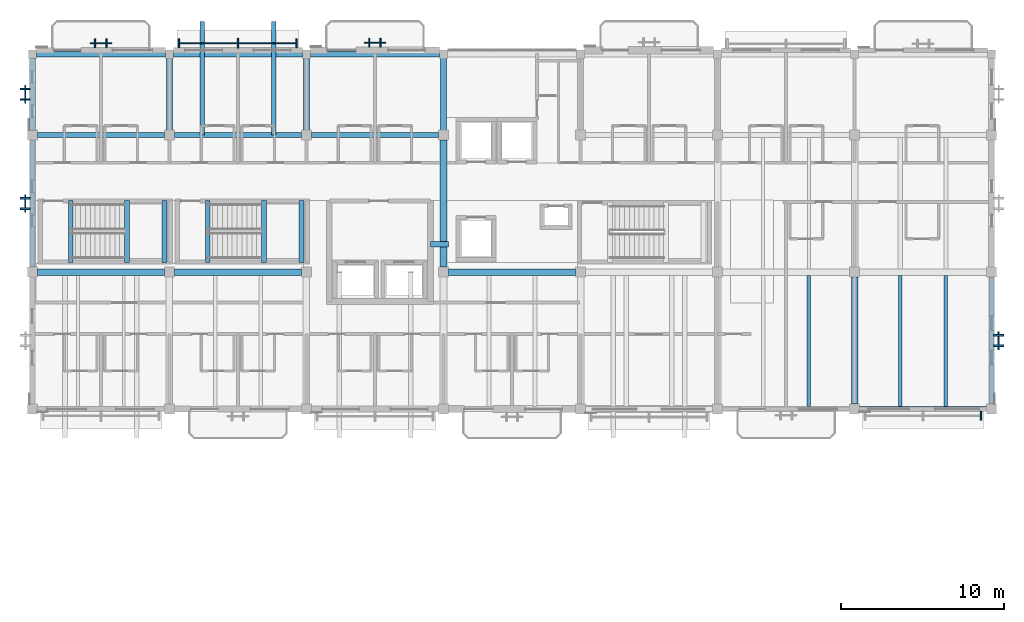
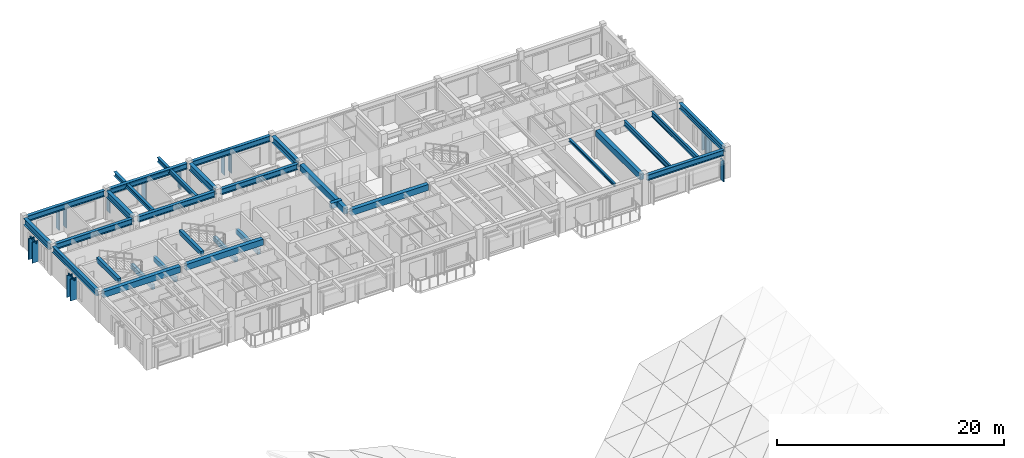
# One storey, part 2 of 31: 30 beams, 20 members, 7 elements without a shape of their own.
"""IFC4 building model written with IfcOpenShell, lengths in metres."""

from ifc_helpers import new_model, si_unit, direction, frame, origin, origin_2d, place, context, subcontext, project, spatial, rectangle, i_section, extrude, material, material_profile, profile_set, type_object, element, aggregate, save


model = new_model("IFC4")

# Units and contexts
model_context = context("Model", 3, precision=1e-05, world=origin(), true_north=direction((0.0, 1.0)))
body_context = subcontext(model_context, "Body", "Model", "MODEL_VIEW")
ifc_project = project(units=[si_unit("LENGTHUNIT", "METRE"), si_unit("AREAUNIT", "SQUARE_METRE"), si_unit("VOLUMEUNIT", "CUBIC_METRE"), si_unit("PLANEANGLEUNIT", "RADIAN"), si_unit("MASSUNIT", "GRAM", prefix="KILO")], contexts=[model_context])

# Site, building, storey
site_placement = place(None, origin())
site = spatial("IfcSite", under=ifc_project, at=site_placement, CompositionType="ELEMENT")
building_placement = place(site_placement, origin())
building = spatial("IfcBuilding", under=site, at=building_placement, Name="Cumbredor Promenade Congress Hotel", CompositionType="ELEMENT")
storey_placement = place(building_placement, frame((0.0, 0.0, 31.919921875)))
storey = spatial("IfcBuildingStorey", under=building, at=storey_placement, Name="L09", CompositionType="ELEMENT", Elevation=31.919921875)

# Beams
ifc_material_1 = material(Name="Concrete C40/50", Category="concrete")
ifc_material_profile_1 = material_profile(ifc_material_1, rectangle(XDim=0.39990234375, YDim=0.64990234375, at=origin_2d()), Name="RC BEAM 400x650")
ifc_profile_set_1 = profile_set([ifc_material_profile_1], Name="Concrete C40/50")
beam_type_1 = type_object("IfcBeamType", Name="BM-RC-400x650", PredefinedType="BEAM", material=ifc_profile_set_1)
beam_1_placement = place(storey_placement, frame((8.699951171875, 100.800048828125, 2.775146484375), z_axis=(1.0, 0.0, 0.0), x_axis=(0.0, 1.0, 0.0)))
element("IfcBeam", 1, at=beam_1_placement, inside=storey, type_object=beam_type_1, Name="L10 X-Grid Beam 003", PredefinedType="BEAM", context=body_context, shape_type="SweptSolid", body=[
    extrude(rectangle(XDim=0.39990234375, YDim=0.64990234375, at=origin_2d()), origin(), (0.0, 0.0, 1.0), 7.800048828125),
])
beam_2_placement = place(storey_placement, frame((17.10009765625, 100.800048828125, 2.775146484375), z_axis=(1.0, 0.0, 0.0), x_axis=(0.0, 1.0, 0.0)))
element("IfcBeam", 2, at=beam_2_placement, inside=storey, type_object=beam_type_1, Name="L10 X-Grid Beam 009", PredefinedType="BEAM", context=body_context, shape_type="SweptSolid", body=[
    extrude(rectangle(XDim=0.39990234375, YDim=0.64990234375, at=origin_2d()), origin(), (0.0, 0.0, 1.0), 7.7998046875),
])
beam_3_placement = place(storey_placement, frame((33.89990234375, 100.800048828125, 2.775146484375), z_axis=(1.0, 0.0, 0.0), x_axis=(0.0, 1.0, 0.0)))
element("IfcBeam", 3, at=beam_3_placement, inside=storey, type_object=beam_type_1, Name="L10 X-Grid Beam 018", PredefinedType="BEAM", context=body_context, shape_type="SweptSolid", body=[
    extrude(rectangle(XDim=0.39990234375, YDim=0.64990234375, at=origin_2d()), origin(), (0.0, 0.0, 1.0), 7.800048828125),
])
beam_4_placement = place(storey_placement, frame((33.60009765625, 101.10009765625, 2.775146484375), z_axis=(0.0, 1.0, 0.0), x_axis=(-1.0, 0.0, 0.0)))
element("IfcBeam", 4, at=beam_4_placement, inside=storey, type_object=beam_type_1, Name="L10 Y-Grid Beam 019", PredefinedType="BEAM", context=body_context, shape_type="SweptSolid", body=[
    extrude(rectangle(XDim=0.39990234375, YDim=0.64990234375, at=origin_2d()), origin(), (0.0, 0.0, 1.0), 7.7998046875),
])
beam_5_placement = place(storey_placement, frame((58.800048828125, 92.699951171875, 2.715087890625), z_axis=(0.0, 1.0, 0.0), x_axis=(-1.0, 0.0, 0.0)))
element("IfcBeam", 5, at=beam_5_placement, inside=storey, type_object=beam_type_1, Name="L10 Y-Grid Beam 033", PredefinedType="BEAM", context=body_context, shape_type="SweptSolid", body=[
    extrude(rectangle(XDim=0.39990234375, YDim=0.64990234375, at=origin_2d()), origin(), (0.0, 0.0, 1.0), 7.800048828125),
])
ifc_material_2 = material(Name="Steel ASTM A992 Grade 50", Category="steel")
ifc_material_profile_2 = material_profile(ifc_material_2, i_section(OverallWidth=0.323974609375, OverallDepth=0.611083984375, WebThickness=0.0126953125, FlangeThickness=0.01904296875, at=origin_2d()), Name="W24X104")
ifc_profile_set_2 = profile_set([ifc_material_profile_2], Name="Steel ASTM A992 Grade 50")
beam_type_2 = type_object("IfcBeamType", Name="BM-W24X104", PredefinedType="BEAM", material=ifc_profile_set_2)
beam_6_placement = place(storey_placement, frame((8.699951171875, 109.199951171875, 2.794677734375), z_axis=(1.0, 0.0, 0.0), x_axis=(0.0, 1.0, 0.0)))
element("IfcBeam", 6, at=beam_6_placement, inside=storey, type_object=beam_type_2, Name="L10 X-Grid Beam 005", PredefinedType="BEAM", context=body_context, shape_type="SweptSolid", body=[
    extrude(i_section(OverallWidth=0.323974609375, OverallDepth=0.611083984375, WebThickness=0.0126953125, FlangeThickness=0.01904296875, at=origin_2d()), origin(), (0.0, 0.0, 1.0), 7.800048828125),
])
beam_7_placement = place(storey_placement, frame((8.64990234375, 114.14990234375, 2.794677734375), z_axis=(1.0, 0.0, 0.0), x_axis=(0.0, 1.0, 0.0)))
element("IfcBeam", 7, at=beam_7_placement, inside=storey, type_object=beam_type_2, Name="L10 X-Grid Beam 006", PredefinedType="BEAM", context=body_context, shape_type="SweptSolid", body=[
    extrude(i_section(OverallWidth=0.323974609375, OverallDepth=0.611083984375, WebThickness=0.0126953125, FlangeThickness=0.01904296875, at=origin_2d()), origin(), (0.0, 0.0, 1.0), 7.900146484375),
])
beam_8_placement = place(storey_placement, frame((17.10009765625, 109.199951171875, 2.794677734375), z_axis=(1.0, 0.0, 0.0), x_axis=(0.0, 1.0, 0.0)))
element("IfcBeam", 8, at=beam_8_placement, inside=storey, type_object=beam_type_2, Name="L10 X-Grid Beam 010", PredefinedType="BEAM", context=body_context, shape_type="SweptSolid", body=[
    extrude(i_section(OverallWidth=0.323974609375, OverallDepth=0.611083984375, WebThickness=0.0126953125, FlangeThickness=0.01904296875, at=origin_2d()), origin(), (0.0, 0.0, 1.0), 7.7998046875),
])
beam_9_placement = place(storey_placement, frame((17.050048828125, 114.14990234375, 2.794677734375), z_axis=(1.0, 0.0, 0.0), x_axis=(0.0, 1.0, 0.0)))
element("IfcBeam", 9, at=beam_9_placement, inside=storey, type_object=beam_type_2, Name="L10 X-Grid Beam 011", PredefinedType="BEAM", context=body_context, shape_type="SweptSolid", body=[
    extrude(i_section(OverallWidth=0.323974609375, OverallDepth=0.611083984375, WebThickness=0.0126953125, FlangeThickness=0.01904296875, at=origin_2d()), origin(), (0.0, 0.0, 1.0), 7.89990234375),
])
beam_10_placement = place(storey_placement, frame((25.5, 109.199951171875, 2.794677734375), z_axis=(1.0, 0.0, 0.0), x_axis=(0.0, 1.0, 0.0)))
element("IfcBeam", 10, at=beam_10_placement, inside=storey, type_object=beam_type_2, Name="L10 X-Grid Beam 014", PredefinedType="BEAM", context=body_context, shape_type="SweptSolid", body=[
    extrude(i_section(OverallWidth=0.323974609375, OverallDepth=0.611083984375, WebThickness=0.0126953125, FlangeThickness=0.01904296875, at=origin_2d()), origin(), (0.0, 0.0, 1.0), 7.800048828125),
])
beam_11_placement = place(storey_placement, frame((25.449951171875, 114.14990234375, 2.794677734375), z_axis=(1.0, 0.0, 0.0), x_axis=(0.0, 1.0, 0.0)))
element("IfcBeam", 11, at=beam_11_placement, inside=storey, type_object=beam_type_2, Name="L10 X-Grid Beam 015", PredefinedType="BEAM", context=body_context, shape_type="SweptSolid", body=[
    extrude(i_section(OverallWidth=0.323974609375, OverallDepth=0.611083984375, WebThickness=0.0126953125, FlangeThickness=0.01904296875, at=origin_2d()), origin(), (0.0, 0.0, 1.0), 7.900146484375),
])
beam_12_placement = place(storey_placement, frame((59.10009765625, 92.39990234375, 2.734619140625), z_axis=(1.0, 0.0, 0.0), x_axis=(0.0, 1.0, 0.0)))
element("IfcBeam", 12, at=beam_12_placement, inside=storey, type_object=beam_type_2, Name="L10 X-Grid Beam 032", PredefinedType="BEAM", context=body_context, shape_type="SweptSolid", body=[
    extrude(i_section(OverallWidth=0.323974609375, OverallDepth=0.611083984375, WebThickness=0.0126953125, FlangeThickness=0.01904296875, at=origin_2d()), origin(), (0.0, 0.0, 1.0), 7.7998046875),
])
ifc_material_profile_3 = material_profile(ifc_material_2, i_section(OverallWidth=0.35498046875, OverallDepth=0.695068359375, WebThickness=0.015380859375, FlangeThickness=0.02490234375, at=origin_2d()), Name="W27X146")
ifc_profile_set_3 = profile_set([ifc_material_profile_3], Name="Steel ASTM A992 Grade 50")
beam_type_3 = type_object("IfcBeamType", Name="BM-W27X146", PredefinedType="BEAM", material=ifc_profile_set_3)
for number, where, z_axis, x_axis, name in (
    (13, (8.39990234375, 109.449951171875, 2.752685546875), (0.0, 1.0, 0.0), (-1.0, 0.0, 0.0), "L10 North Veranda Back-Spanned Cantilever Girder X8"),
    (14, (16.800048828125, 109.449951171875, 2.752685546875), (0.0, 1.0, 0.0), (-1.0, 0.0, 0.0), "L10 North Veranda Back-Spanned Cantilever Girder X16"),
    (15, (25.199951171875, 109.449951171875, 2.752685546875), (0.0, 1.0, 0.0), (-1.0, 0.0, 0.0), "L10 North Veranda Back-Spanned Cantilever Girder X25"),
    (16, (33.60009765625, 109.449951171875, 2.752685546875), (0.0, 1.0, 0.0), (-1.0, 0.0, 0.0), "L10 North Veranda Back-Spanned Cantilever Girder X33"),
):
    element("IfcBeam", number, at=place(storey_placement, frame(where, z_axis=z_axis, x_axis=x_axis)), inside=storey, type_object=beam_type_3, Name=name, PredefinedType="BEAM", context=body_context, shape_type="SweptSolid", body=[
        extrude(i_section(OverallWidth=0.35498046875, OverallDepth=0.695068359375, WebThickness=0.015380859375, FlangeThickness=0.02490234375, at=origin_2d()), origin(), (0.0, 0.0, 1.0), 4.469970703125),
    ])

# Curtain wall, member
ifc_material_3 = material(Name="Thermally broken anodized aluminium and low-E glass", Category="aluminium")
curtain_wall_type = type_object("IfcCurtainWallType", Name="Solar Brise-Soleil Screen Assembly CW-07", PredefinedType="NOTDEFINED", material=ifc_material_3)
curtain_wall_1_placement = place(storey_placement, origin())
curtain_wall_1 = element("IfcCurtainWall", 17, at=curtain_wall_1_placement, inside=storey, type_object=curtain_wall_type, Name="L09 Veranda Solar Brise-Soleil Screen 1114", PredefinedType="NOTDEFINED")
ifc_material_4 = material(Name="Thermally broken anodized aluminium", Category="aluminium")
ifc_material_profile_4 = material_profile(ifc_material_4, rectangle(XDim=0.06494140625, YDim=0.1298828125, at=origin_2d()), Name="ALU TRANSOM 65x130")
ifc_profile_set_4 = profile_set([ifc_material_profile_4], Name="Thermally broken anodized aluminium")
member_type_1 = type_object("IfcMemberType", Name="Curtain Wall Transom TR-01", PredefinedType="USERDEFINED", material=ifc_profile_set_4)
member_1_placement = place(storey_placement, frame((11.949951171875, 114.822509765625, 2.39404296875), z_axis=(1.0, 0.0, 0.0), x_axis=(0.0, 1.0, 0.0)))
member_1 = element("IfcMember", 18, at=member_1_placement, type_object=member_type_1, Name="L09 Brise-Soleil Header Tie 1116", ObjectType="TRANSOM", PredefinedType="USERDEFINED", context=body_context, shape_type="SweptSolid", body=[
    extrude(rectangle(XDim=0.06494140625, YDim=0.1298828125, at=origin_2d()), origin(), (0.0, 0.0, 1.0), 1.300048828125),
])

curtain_wall_2_placement = place(storey_placement, origin())
curtain_wall_2 = element("IfcCurtainWall", 19, at=curtain_wall_2_placement, inside=storey, type_object=curtain_wall_type, Name="L09 Hospitality Brise-Soleil Screen 115", PredefinedType="NOTDEFINED")
member_2_placement = place(storey_placement, frame((17.35107421875, 114.8349609375, 2.294189453125), z_axis=(1.0, 0.0, 0.0), x_axis=(0.0, 1.0, 0.0)))
member_2 = element("IfcMember", 20, at=member_2_placement, type_object=member_type_1, Name="L09 Brise-Soleil Screen Transom 115", ObjectType="TRANSOM", PredefinedType="USERDEFINED", context=body_context, shape_type="SweptSolid", body=[
    extrude(rectangle(XDim=0.06494140625, YDim=0.1298828125, at=origin_2d()), origin(), (0.0, 0.0, 1.0), 7.2978515625),
])

curtain_wall_3_placement = place(storey_placement, origin())
curtain_wall_3 = element("IfcCurtainWall", 21, at=curtain_wall_3_placement, inside=storey, type_object=curtain_wall_type, Name="L09 Veranda Solar Brise-Soleil Screen 1120", PredefinedType="NOTDEFINED")
member_3_placement = place(storey_placement, frame((28.75, 114.85009765625, 2.39404296875), z_axis=(1.0, 0.0, 0.0), x_axis=(0.0, 1.0, 0.0)))
member_3 = element("IfcMember", 22, at=member_3_placement, type_object=member_type_1, Name="L09 Brise-Soleil Header Tie 1122", ObjectType="TRANSOM", PredefinedType="USERDEFINED", context=body_context, shape_type="SweptSolid", body=[
    extrude(rectangle(XDim=0.06494140625, YDim=0.1298828125, at=origin_2d()), origin(), (0.0, 0.0, 1.0), 1.300048828125),
])

curtain_wall_4_placement = place(storey_placement, origin())
curtain_wall_4 = element("IfcCurtainWall", 23, at=curtain_wall_4_placement, inside=storey, type_object=curtain_wall_type, Name="L09 Pier Brise-Soleil Screen 1135", PredefinedType="NOTDEFINED")
member_4_placement = place(storey_placement, frame((7.965087890625, 104.449951171875, 2.31396484375), z_axis=(0.0, 1.0, 0.0), x_axis=(-1.0, 0.0, 0.0)))
member_4 = element("IfcMember", 24, at=member_4_placement, type_object=member_type_1, Name="L09 Pier Brise-Soleil Header 1137", ObjectType="TRANSOM", PredefinedType="USERDEFINED", context=body_context, shape_type="SweptSolid", body=[
    extrude(rectangle(XDim=0.06494140625, YDim=0.1298828125, at=origin_2d()), origin(), (0.0, 0.0, 1.0), 1.10009765625),
])

curtain_wall_5_placement = place(storey_placement, origin())
curtain_wall_5 = element("IfcCurtainWall", 25, at=curtain_wall_5_placement, inside=storey, type_object=curtain_wall_type, Name="L09 Pier Brise-Soleil Screen 1138", PredefinedType="NOTDEFINED")
member_5_placement = place(storey_placement, frame((7.949951171875, 111.14990234375, 2.22998046875), z_axis=(0.0, 1.0, 0.0), x_axis=(-1.0, 0.0, 0.0)))
member_5 = element("IfcMember", 26, at=member_5_placement, type_object=member_type_1, Name="L09 Pier Brise-Soleil Header 1140", ObjectType="TRANSOM", PredefinedType="USERDEFINED", context=body_context, shape_type="SweptSolid", body=[
    extrude(rectangle(XDim=0.06494140625, YDim=0.1298828125, at=origin_2d()), origin(), (0.0, 0.0, 1.0), 1.10009765625),
])

curtain_wall_6_placement = place(storey_placement, origin())
curtain_wall_6 = element("IfcCurtainWall", 27, at=curtain_wall_6_placement, inside=storey, type_object=curtain_wall_type, Name="L09 Pier Brise-Soleil Screen 1141", PredefinedType="NOTDEFINED")
member_6_placement = place(storey_placement, frame((67.62255859375, 96.050048828125, 2.254150390625), z_axis=(0.0, 1.0, 0.0), x_axis=(-1.0, 0.0, 0.0)))
member_6 = element("IfcMember", 28, at=member_6_placement, type_object=member_type_1, Name="L09 Pier Brise-Soleil Header 1143", ObjectType="TRANSOM", PredefinedType="USERDEFINED", context=body_context, shape_type="SweptSolid", body=[
    extrude(rectangle(XDim=0.06494140625, YDim=0.1298828125, at=origin_2d()), origin(), (0.0, 0.0, 1.0), 1.099853515625),
])

# Beams
ifc_material_profile_5 = material_profile(ifc_material_2, i_section(OverallWidth=0.202880859375, OverallDepth=0.302978515625, WebThickness=0.007568359375, FlangeThickness=0.01318359375, at=origin_2d()), Name="W12X40")
ifc_profile_set_5 = profile_set([ifc_material_profile_5], Name="Steel ASTM A992 Grade 50")
beam_type_4 = type_object("IfcBeamType", Name="JST-W12X40", PredefinedType="JOIST", material=ifc_profile_set_5)
beam_13_placement = place(storey_placement, frame((56.0, 92.56201171875, 2.888671875), z_axis=(0.0, 1.0, 0.0), x_axis=(-1.0, 0.0, 0.0)))
element("IfcBeam", 29, at=beam_13_placement, inside=storey, type_object=beam_type_4, Name="L10 Secondary Floor Joist 0010", PredefinedType="JOIST", context=body_context, shape_type="SweptSolid", body=[
    extrude(i_section(OverallWidth=0.202880859375, OverallDepth=0.302978515625, WebThickness=0.007568359375, FlangeThickness=0.01318359375, at=origin_2d()), origin(), (0.0, 0.0, 1.0), 8.0380859375),
])
ifc_material_profile_6 = material_profile(ifc_material_2, i_section(OverallWidth=0.280029296875, OverallDepth=0.462890625, WebThickness=0.0107421875, FlangeThickness=0.017333984375, at=origin_2d()), Name="W18X76")
ifc_profile_set_6 = profile_set([ifc_material_profile_6], Name="Steel ASTM A992 Grade 50")
beam_type_5 = type_object("IfcBeamType", Name="JST-W18X76", PredefinedType="JOIST", material=ifc_profile_set_6)
for number, where, z_axis, x_axis, name in (
    (30, (18.800048828125, 109.199951171875, 2.86865234375), (0.0, 1.0, 0.0), (-1.0, 0.0, 0.0), "L10 Balcony Back-Spanned Outrigger Beam 060.1"),
    (31, (23.199951171875, 109.199951171875, 2.86865234375), (0.0, 1.0, 0.0), (-1.0, 0.0, 0.0), "L10 Balcony Back-Spanned Outrigger Beam 060.2"),
):
    element("IfcBeam", number, at=place(storey_placement, frame(where, z_axis=z_axis, x_axis=x_axis)), inside=storey, type_object=beam_type_5, Name=name, PredefinedType="JOIST", context=body_context, shape_type="SweptSolid", body=[
        extrude(i_section(OverallWidth=0.280029296875, OverallDepth=0.462890625, WebThickness=0.0107421875, FlangeThickness=0.017333984375, at=origin_2d()), origin(), (0.0, 0.0, 1.0), 6.949951171875),
    ])
ifc_material_profile_7 = material_profile(ifc_material_2, i_section(OverallWidth=0.214111328125, OverallDepth=0.549072265625, WebThickness=0.0146484375, FlangeThickness=0.023681640625, at=origin_2d()), Name="W21X93")
ifc_profile_set_7 = profile_set([ifc_material_profile_7], Name="Steel ASTM A992 Grade 50")
beam_type_6 = type_object("IfcBeamType", Name="JST-W21X93", PredefinedType="JOIST", material=ifc_profile_set_7)
for number, where, z_axis, x_axis, name in (
    (32, (61.60009765625, 92.56201171875, 2.765625), (0.0, 1.0, 0.0), (-1.0, 0.0, 0.0), "L10 Secondary Floor Joist 0013"),
    (33, (64.39990234375, 92.56201171875, 2.765625), (0.0, 1.0, 0.0), (-1.0, 0.0, 0.0), "L10 Secondary Floor Joist 0014"),
):
    element("IfcBeam", number, at=place(storey_placement, frame(where, z_axis=z_axis, x_axis=x_axis)), inside=storey, type_object=beam_type_6, Name=name, PredefinedType="JOIST", context=body_context, shape_type="SweptSolid", body=[
        extrude(i_section(OverallWidth=0.214111328125, OverallDepth=0.549072265625, WebThickness=0.0146484375, FlangeThickness=0.023681640625, at=origin_2d()), origin(), (0.0, 0.0, 1.0), 8.0380859375),
    ])
ifc_material_profile_8 = material_profile(ifc_material_1, rectangle(XDim=0.300048828125, YDim=0.5, at=origin_2d()), Name="RC LINTEL 300x500")
ifc_profile_set_8 = profile_set([ifc_material_profile_8], Name="Concrete C40/50")
beam_type_7 = type_object("IfcBeamType", Name="LN-RC-300x500", PredefinedType="LINTEL", material=ifc_profile_set_8)
for number, where, z_axis, x_axis, name in (
    (34, (16.5, 101.3701171875, 1.22998046875), (0.0, 1.0, 0.0), (-1.0, 0.0, 0.0), "L09 Stair ST-01 Landing Ledger Beam E"),
    (35, (14.199951171875, 101.3701171875, 1.22998046875), (0.0, 1.0, 0.0), (-1.0, 0.0, 0.0), "L09 Stair ST-01 Landing Ledger Beam W"),
    (36, (10.75, 101.3701171875, 3.110107421875), (0.0, 1.0, 0.0), (-1.0, 0.0, 0.0), "L10 Stair ST-01 Well Header Trimmer Beam"),
    (37, (24.89990234375, 101.3701171875, 1.22998046875), (0.0, 1.0, 0.0), (-1.0, 0.0, 0.0), "L09 Stair ST-02 Landing Ledger Beam E"),
    (38, (22.60009765625, 101.3701171875, 1.22998046875), (0.0, 1.0, 0.0), (-1.0, 0.0, 0.0), "L09 Stair ST-02 Landing Ledger Beam W"),
    (39, (19.14990234375, 101.3701171875, 3.110107421875), (0.0, 1.0, 0.0), (-1.0, 0.0, 0.0), "L10 Stair ST-02 Well Header Trimmer Beam"),
):
    element("IfcBeam", number, at=place(storey_placement, frame(where, z_axis=z_axis, x_axis=x_axis)), inside=storey, type_object=beam_type_7, Name=name, PredefinedType="LINTEL", context=body_context, shape_type="SweptSolid", body=[
        extrude(rectangle(XDim=0.300048828125, YDim=0.5, at=origin_2d()), origin(), (0.0, 0.0, 1.0), 3.829833984375),
    ])
ifc_material_profile_9 = material_profile(ifc_material_1, rectangle(XDim=0.35009765625, YDim=0.60009765625, at=origin_2d()), Name="RC LINTEL 350x600")
ifc_profile_set_9 = profile_set([ifc_material_profile_9], Name="Concrete C40/50")
beam_type_8 = type_object("IfcBeamType", Name="LN-RC-350x600", PredefinedType="LINTEL", material=ifc_profile_set_9)
beam_14_placement = place(storey_placement, frame((32.800048828125, 102.5, 2.800048828125), z_axis=(1.0, 0.0, 0.0), x_axis=(0.0, 1.0, 0.0)))
element("IfcBeam", 40, at=beam_14_placement, inside=storey, type_object=beam_type_8, Name="L09 Core Coupling Lintel Beam", PredefinedType="LINTEL", context=body_context, shape_type="SweptSolid", body=[
    extrude(rectangle(XDim=0.35009765625, YDim=0.60009765625, at=origin_2d()), origin(), (0.0, 0.0, 1.0), 1.099853515625),
])
ifc_material_profile_10 = material_profile(ifc_material_2, i_section(OverallWidth=0.323974609375, OverallDepth=0.611083984375, WebThickness=0.0126953125, FlangeThickness=0.01904296875, at=origin_2d()), Name="W24X104")
ifc_profile_set_10 = profile_set([ifc_material_profile_10], Name="Steel ASTM A992 Grade 50")
beam_type_9 = type_object("IfcBeamType", Name="SP-W24X104", PredefinedType="SPANDREL", material=ifc_profile_set_10)
beam_15_placement = place(storey_placement, frame((8.39990234375, 101.10009765625, 2.794677734375), z_axis=(0.0, 1.0, 0.0), x_axis=(-1.0, 0.0, 0.0)))
element("IfcBeam", 41, at=beam_15_placement, inside=storey, type_object=beam_type_9, Name="L10 Y-Grid Beam 004", PredefinedType="SPANDREL", context=body_context, shape_type="SweptSolid", body=[
    extrude(i_section(OverallWidth=0.323974609375, OverallDepth=0.611083984375, WebThickness=0.0126953125, FlangeThickness=0.01904296875, at=origin_2d()), origin(), (0.0, 0.0, 1.0), 7.7998046875),
])
beam_16_placement = place(storey_placement, frame((67.199951171875, 92.699951171875, 2.734619140625), z_axis=(0.0, 1.0, 0.0), x_axis=(-1.0, 0.0, 0.0)))
element("IfcBeam", 42, at=beam_16_placement, inside=storey, type_object=beam_type_9, Name="L10 Y-Grid Beam 038", PredefinedType="SPANDREL", context=body_context, shape_type="SweptSolid", body=[
    extrude(i_section(OverallWidth=0.323974609375, OverallDepth=0.611083984375, WebThickness=0.0126953125, FlangeThickness=0.01904296875, at=origin_2d()), origin(), (0.0, 0.0, 1.0), 7.800048828125),
])

# Member
ifc_material_profile_11 = material_profile(ifc_material_4, rectangle(XDim=0.110107421875, YDim=0.6201171875, at=origin_2d()), Name="ARCH FIN 110x620")
ifc_profile_set_11 = profile_set([ifc_material_profile_11], Name="Thermally broken anodized aluminium")
member_type_2 = type_object("IfcMemberType", Name="Vertical Bronze Brise-Soleil Fin BSF-02 110x620", PredefinedType="USERDEFINED", material=ifc_profile_set_11)
member_7_placement = place(storey_placement, frame((21.0, 114.8349609375, 0.02001953125), z_axis=(0.0, 0.0, 1.0), x_axis=(1.0, 0.0, 0.0)))
member_7 = element("IfcMember", 43, at=member_7_placement, type_object=member_type_2, Name="L09 Vertical Brise-Soleil Fin 1118", ObjectType="SOLAR FIN", PredefinedType="USERDEFINED", context=body_context, shape_type="SweptSolid", body=[
    extrude(rectangle(XDim=0.110107421875, YDim=0.6201171875, at=origin_2d()), origin(), (0.0, 0.0, 1.0), 2.333984375),
])

member_8_placement = place(storey_placement, frame((7.965087890625, 104.679931640625, 0.02001953125), z_axis=(0.0, 0.0, 1.0), x_axis=(0.0, 1.0, 0.0)))
member_8 = element("IfcMember", 44, at=member_8_placement, type_object=member_type_2, Name="L09 Pier Brise-Soleil Fin 1136", ObjectType="SOLAR FIN", PredefinedType="USERDEFINED", context=body_context, shape_type="SweptSolid", body=[
    extrude(rectangle(XDim=0.110107421875, YDim=0.6201171875, at=origin_2d()), origin(), (0.0, 0.0, 1.0), 2.333984375),
])

member_9_placement = place(storey_placement, frame((7.965087890625, 105.320068359375, 0.02001953125), z_axis=(0.0, 0.0, 1.0), x_axis=(0.0, 1.0, 0.0)))
member_9 = element("IfcMember", 45, at=member_9_placement, type_object=member_type_2, Name="L09 Pier Brise-Soleil Fin 1137", ObjectType="SOLAR FIN", PredefinedType="USERDEFINED", context=body_context, shape_type="SweptSolid", body=[
    extrude(rectangle(XDim=0.110107421875, YDim=0.6201171875, at=origin_2d()), origin(), (0.0, 0.0, 1.0), 2.333984375),
])

aggregate(curtain_wall_4, [member_8, member_9, member_4])

member_10_placement = place(storey_placement, frame((7.949951171875, 111.3798828125, 0.02001953125), z_axis=(0.0, 0.0, 1.0), x_axis=(0.0, 1.0, 0.0)))
member_10 = element("IfcMember", 46, at=member_10_placement, type_object=member_type_2, Name="L09 Pier Brise-Soleil Fin 1139", ObjectType="SOLAR FIN", PredefinedType="USERDEFINED", context=body_context, shape_type="SweptSolid", body=[
    extrude(rectangle(XDim=0.110107421875, YDim=0.6201171875, at=origin_2d()), origin(), (0.0, 0.0, 1.0), 2.25),
])

member_11_placement = place(storey_placement, frame((7.949951171875, 112.02001953125, 0.02001953125), z_axis=(0.0, 0.0, 1.0), x_axis=(0.0, 1.0, 0.0)))
member_11 = element("IfcMember", 47, at=member_11_placement, type_object=member_type_2, Name="L09 Pier Brise-Soleil Fin 1140", ObjectType="SOLAR FIN", PredefinedType="USERDEFINED", context=body_context, shape_type="SweptSolid", body=[
    extrude(rectangle(XDim=0.110107421875, YDim=0.6201171875, at=origin_2d()), origin(), (0.0, 0.0, 1.0), 2.25),
])

aggregate(curtain_wall_5, [member_10, member_11, member_5])

member_12_placement = place(storey_placement, frame((67.62255859375, 96.280029296875, 0.02001953125), z_axis=(0.0, 0.0, 1.0), x_axis=(0.0, 1.0, 0.0)))
member_12 = element("IfcMember", 48, at=member_12_placement, type_object=member_type_2, Name="L09 Pier Brise-Soleil Fin 1142", ObjectType="SOLAR FIN", PredefinedType="USERDEFINED", context=body_context, shape_type="SweptSolid", body=[
    extrude(rectangle(XDim=0.110107421875, YDim=0.6201171875, at=origin_2d()), origin(), (0.0, 0.0, 1.0), 2.274169921875),
])

member_13_placement = place(storey_placement, frame((67.62255859375, 96.919921875, 0.02001953125), z_axis=(0.0, 0.0, 1.0), x_axis=(0.0, 1.0, 0.0)))
member_13 = element("IfcMember", 49, at=member_13_placement, type_object=member_type_2, Name="L09 Pier Brise-Soleil Fin 1143", ObjectType="SOLAR FIN", PredefinedType="USERDEFINED", context=body_context, shape_type="SweptSolid", body=[
    extrude(rectangle(XDim=0.110107421875, YDim=0.6201171875, at=origin_2d()), origin(), (0.0, 0.0, 1.0), 2.274169921875),
])

aggregate(curtain_wall_6, [member_12, member_13, member_6])

# Curtain wall, member
curtain_wall_7_placement = place(storey_placement, origin())
curtain_wall_7 = element("IfcCurtainWall", 50, at=curtain_wall_7_placement, inside=storey, type_object=curtain_wall_type, Name="L09 Hospitality Brise-Soleil Screen 114", PredefinedType="NOTDEFINED")
ifc_material_5 = material(Name="Kiln-dried tropical hardwood", Category="wood")
ifc_material_profile_12 = material_profile(ifc_material_5, rectangle(XDim=0.090087890625, YDim=0.550048828125, at=origin_2d()), Name="ARCH FIN 90x550")
ifc_profile_set_12 = profile_set([ifc_material_profile_12], Name="Kiln-dried tropical hardwood")
member_type_3 = type_object("IfcMemberType", Name="Vertical Hardwood Brise-Soleil Fin BSF-01 90x550", PredefinedType="USERDEFINED", material=ifc_profile_set_12)
member_14_placement = place(storey_placement, frame((66.549072265625, 92.0, 0.02001953125), z_axis=(0.0, 0.0, 1.0), x_axis=(1.0, 0.0, 0.0)))
member_14 = element("IfcMember", 51, at=member_14_placement, type_object=member_type_3, Name="L09 Vertical Brise-Soleil Fin 1113", ObjectType="SOLAR FIN", PredefinedType="USERDEFINED", context=body_context, shape_type="SweptSolid", body=[
    extrude(rectangle(XDim=0.090087890625, YDim=0.550048828125, at=origin_2d()), origin(), (0.0, 0.0, 1.0), 2.274169921875),
])
aggregate(curtain_wall_7, [member_14])

# Member
member_15_placement = place(storey_placement, frame((12.25, 114.822509765625, -0.010009765625), z_axis=(0.0, 0.0, 1.0), x_axis=(1.0, 0.0, 0.0)))
member_15 = element("IfcMember", 52, at=member_15_placement, type_object=member_type_3, Name="L09 Vertical Hardwood Brise-Soleil Fin 1115", ObjectType="SOLAR FIN", PredefinedType="USERDEFINED", context=body_context, shape_type="SweptSolid", body=[
    extrude(rectangle(XDim=0.090087890625, YDim=0.550048828125, at=origin_2d()), origin(), (0.0, 0.0, 1.0), 2.464111328125),
])

member_16_placement = place(storey_placement, frame((12.949951171875, 114.822509765625, -0.010009765625), z_axis=(0.0, 0.0, 1.0), x_axis=(1.0, 0.0, 0.0)))
member_16 = element("IfcMember", 53, at=member_16_placement, type_object=member_type_3, Name="L09 Vertical Hardwood Brise-Soleil Fin 1116", ObjectType="SOLAR FIN", PredefinedType="USERDEFINED", context=body_context, shape_type="SweptSolid", body=[
    extrude(rectangle(XDim=0.090087890625, YDim=0.550048828125, at=origin_2d()), origin(), (0.0, 0.0, 1.0), 2.464111328125),
])

aggregate(curtain_wall_1, [member_15, member_16, member_1])

member_17_placement = place(storey_placement, frame((17.40087890625, 114.8349609375, 0.02001953125), z_axis=(0.0, 0.0, 1.0), x_axis=(1.0, 0.0, 0.0)))
member_17 = element("IfcMember", 54, at=member_17_placement, type_object=member_type_3, Name="L09 Vertical Brise-Soleil Fin 1117", ObjectType="SOLAR FIN", PredefinedType="USERDEFINED", context=body_context, shape_type="SweptSolid", body=[
    extrude(rectangle(XDim=0.090087890625, YDim=0.550048828125, at=origin_2d()), origin(), (0.0, 0.0, 1.0), 2.333984375),
])

member_18_placement = place(storey_placement, frame((24.59912109375, 114.8349609375, 0.02001953125), z_axis=(0.0, 0.0, 1.0), x_axis=(1.0, 0.0, 0.0)))
member_18 = element("IfcMember", 55, at=member_18_placement, type_object=member_type_3, Name="L09 Vertical Brise-Soleil Fin 1119", ObjectType="SOLAR FIN", PredefinedType="USERDEFINED", context=body_context, shape_type="SweptSolid", body=[
    extrude(rectangle(XDim=0.090087890625, YDim=0.550048828125, at=origin_2d()), origin(), (0.0, 0.0, 1.0), 2.333984375),
])

aggregate(curtain_wall_2, [member_2, member_17, member_7, member_18])

member_19_placement = place(storey_placement, frame((29.050048828125, 114.85009765625, -0.010009765625), z_axis=(0.0, 0.0, 1.0), x_axis=(1.0, 0.0, 0.0)))
member_19 = element("IfcMember", 56, at=member_19_placement, type_object=member_type_3, Name="L09 Vertical Hardwood Brise-Soleil Fin 1121", ObjectType="SOLAR FIN", PredefinedType="USERDEFINED", context=body_context, shape_type="SweptSolid", body=[
    extrude(rectangle(XDim=0.090087890625, YDim=0.550048828125, at=origin_2d()), origin(), (0.0, 0.0, 1.0), 2.464111328125),
])

member_20_placement = place(storey_placement, frame((29.75, 114.85009765625, -0.010009765625), z_axis=(0.0, 0.0, 1.0), x_axis=(1.0, 0.0, 0.0)))
member_20 = element("IfcMember", 57, at=member_20_placement, type_object=member_type_3, Name="L09 Vertical Hardwood Brise-Soleil Fin 1122", ObjectType="SOLAR FIN", PredefinedType="USERDEFINED", context=body_context, shape_type="SweptSolid", body=[
    extrude(rectangle(XDim=0.090087890625, YDim=0.550048828125, at=origin_2d()), origin(), (0.0, 0.0, 1.0), 2.464111328125),
])

aggregate(curtain_wall_3, [member_19, member_20, member_3])

save(model, "model.ifc")
